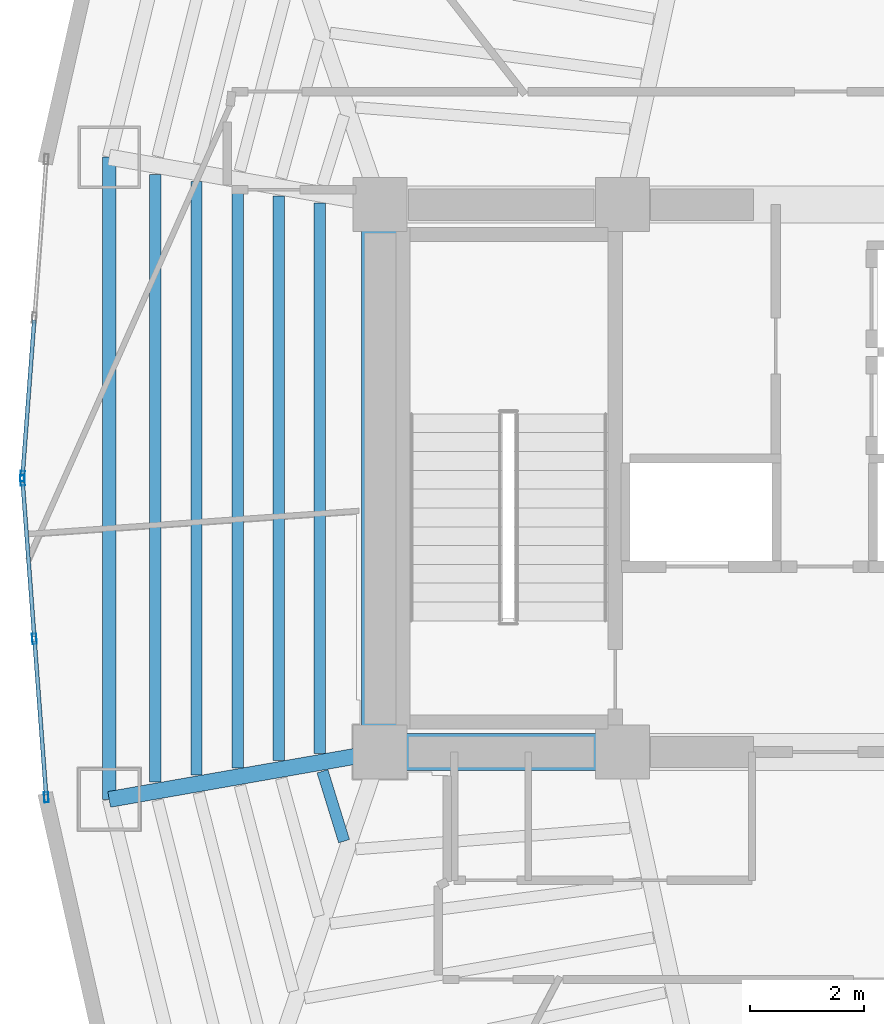
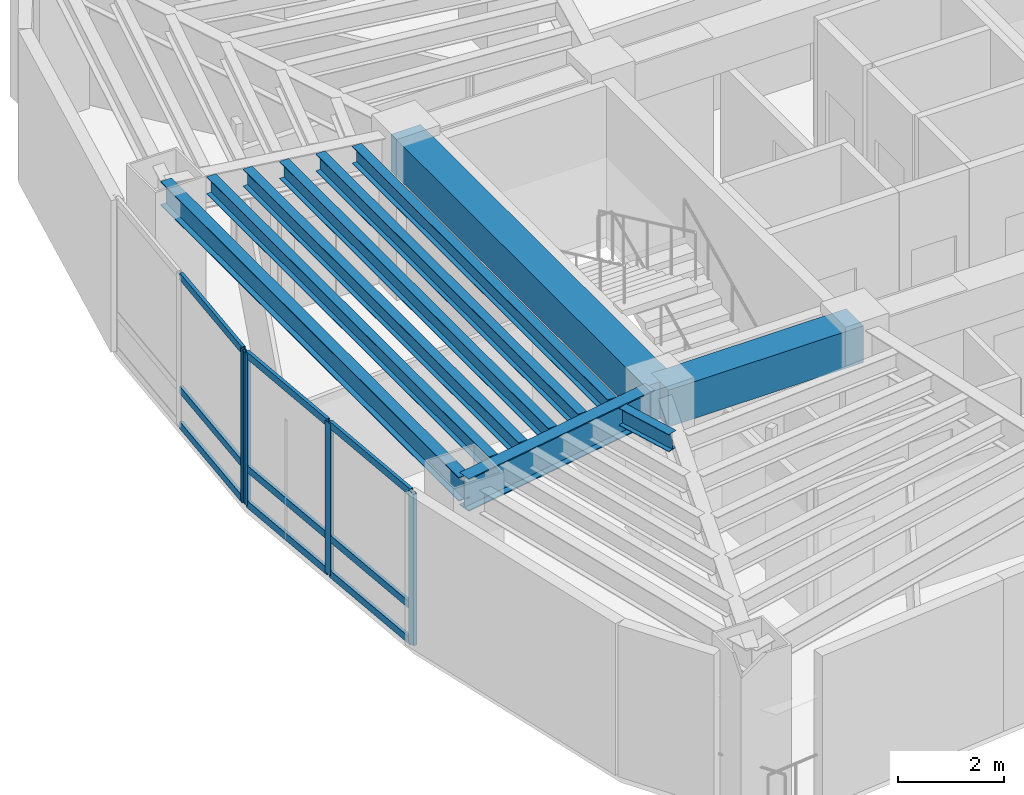
# One storey, part 3 of 18: 13 members, 10 beams, 2 elements without a shape of their own.
"""IFC4 building model written with IfcOpenShell, lengths in metres."""

from ifc_helpers import new_model, si_unit, direction, frame, origin, origin_2d, place, context, subcontext, project, spatial, rectangle, hollow_rectangle, i_section, extrude, material, layer, layer_set, material_profile, profile_set, type_object, element, aggregate, save


model = new_model("IFC4")

# Units and contexts
model_context = context("Model", 3, precision=1e-05, world=origin(), true_north=direction((0.0, 1.0)))
body_context = subcontext(model_context, "Body", "Model", "MODEL_VIEW")
ifc_project = project(units=[si_unit("LENGTHUNIT", "METRE"), si_unit("AREAUNIT", "SQUARE_METRE"), si_unit("VOLUMEUNIT", "CUBIC_METRE"), si_unit("PLANEANGLEUNIT", "RADIAN"), si_unit("MASSUNIT", "GRAM", prefix="KILO")], contexts=[model_context])

# Site, building, storey
site_placement = place(None, origin())
site = spatial("IfcSite", under=ifc_project, at=site_placement, CompositionType="ELEMENT")
building_placement = place(site_placement, origin())
building = spatial("IfcBuilding", under=site, at=building_placement, Name="Menara Vayukalpa", CompositionType="ELEMENT")
storey_placement = place(building_placement, frame((0.0, 0.0, 158.0400390625)))
storey = spatial("IfcBuildingStorey", under=building, at=storey_placement, Name="L39", CompositionType="ELEMENT", Elevation=158.0400390625)

# Beams
ifc_material_1 = material(Name="Concrete C60/75", Category="concrete")
ifc_material_profile_1 = material_profile(ifc_material_1, rectangle(XDim=0.64990234375, YDim=0.85009765625, at=origin_2d()), Name="RC 650x850")
ifc_profile_set_1 = profile_set([ifc_material_profile_1], Name="Concrete C60/75")
beam_type_1 = type_object("IfcBeamType", Name="BM-CB1", PredefinedType="BEAM", material=ifc_profile_set_1)
beam_1_placement = place(storey_placement, frame((17.800048828125, 17.199951171875, 3.074951171875), z_axis=(1.0, 0.0, 0.0), x_axis=(0.0, 1.0, 0.0)))
element("IfcBeam", 1, at=beam_1_placement, inside=storey, type_object=beam_type_1, Name="L39 Core Tie Beam CBR1", PredefinedType="BEAM", context=body_context, shape_type="SweptSolid", body=[
    extrude(rectangle(XDim=0.64990234375, YDim=0.85009765625, at=origin_2d()), origin(), (0.0, 0.0, 1.0), 4.25),
])
beam_2_placement = place(storey_placement, frame((17.800048828125, 17.199951171875, 3.074951171875), z_axis=(0.0, 1.0, 0.0), x_axis=(-1.0, 0.0, 0.0)))
element("IfcBeam", 2, at=beam_2_placement, inside=storey, type_object=beam_type_1, Name="L39 Core Tie Beam CBR7", PredefinedType="BEAM", context=body_context, shape_type="SweptSolid", body=[
    extrude(rectangle(XDim=0.64990234375, YDim=0.85009765625, at=origin_2d()), origin(), (0.0, 0.0, 1.0), 9.60009765625),
])
ifc_material_2 = material(Name="Steel S355", Category="steel")
ifc_material_profile_2 = material_profile(ifc_material_2, i_section(OverallWidth=0.280029296875, OverallDepth=0.75, WebThickness=0.013916015625, FlangeThickness=0.02490234375, at=origin_2d()), Name="WF 750x280x14x25")
ifc_profile_set_2 = profile_set([ifc_material_profile_2], Name="Steel S355")
beam_type_2 = type_object("IfcBeamType", Name="BM-PG4", PredefinedType="BEAM", material=ifc_profile_set_2)
beam_3_placement = place(storey_placement, frame((17.5537109375, 17.156982421875, 3.125), z_axis=(-0.985011651805, -0.172487813505, 0.0), x_axis=(0.172487813505, -0.985011651805, 0.0)))
element("IfcBeam", 3, at=beam_3_placement, inside=storey, type_object=beam_type_2, Name="L39 Primary Radial Girder RG06", PredefinedType="BEAM", context=body_context, shape_type="SweptSolid", body=[
    extrude(i_section(OverallWidth=0.280029296875, OverallDepth=0.75, WebThickness=0.013916015625, FlangeThickness=0.02490234375, at=origin_2d()), origin(), (0.0, 0.0, 1.0), 4.5732421875),
])
ifc_material_3 = material(Name="Steel S355", Category="steel")
ifc_material_profile_3 = material_profile(ifc_material_3, i_section(OverallWidth=0.199951171875, OverallDepth=0.39990234375, WebThickness=0.008056640625, FlangeThickness=0.012939453125, at=origin_2d()), Name="WF 400x200x8x13")
ifc_profile_set_3 = profile_set([ifc_material_profile_3], Name="Steel S355")
beam_type_3 = type_object("IfcBeamType", Name="BM-SJ2", PredefinedType="JOIST", material=ifc_profile_set_3)
beam_4_placement = place(storey_placement, frame((16.742919921875, 26.8251953125, 3.300048828125), z_axis=(0.0, -1.0, 0.0), x_axis=(1.0, 0.0, 0.0)))
element("IfcBeam", 4, at=beam_4_placement, inside=storey, type_object=beam_type_3, Name="L39 Secondary Floor Joist SJ05-1", PredefinedType="JOIST", context=body_context, shape_type="SweptSolid", body=[
    extrude(i_section(OverallWidth=0.199951171875, OverallDepth=0.39990234375, WebThickness=0.008056640625, FlangeThickness=0.012939453125, at=origin_2d()), origin(), (0.0, 0.0, 1.0), 9.650390625),
])
beam_5_placement = place(storey_placement, frame((16.022216796875, 26.951416015625, 3.300048828125), z_axis=(0.0, -1.0, 0.0), x_axis=(1.0, 0.0, 0.0)))
element("IfcBeam", 5, at=beam_5_placement, inside=storey, type_object=beam_type_3, Name="L39 Secondary Floor Joist SJ05-2", PredefinedType="JOIST", context=body_context, shape_type="SweptSolid", body=[
    extrude(i_section(OverallWidth=0.199951171875, OverallDepth=0.39990234375, WebThickness=0.008056640625, FlangeThickness=0.012939453125, at=origin_2d()), origin(), (0.0, 0.0, 1.0), 9.90283203125),
])
beam_6_placement = place(storey_placement, frame((15.301513671875, 27.077392578125, 3.300048828125), z_axis=(0.0, -1.0, 0.0), x_axis=(1.0, 0.0, 0.0)))
element("IfcBeam", 6, at=beam_6_placement, inside=storey, type_object=beam_type_3, Name="L39 Secondary Floor Joist SJ05-3", PredefinedType="JOIST", context=body_context, shape_type="SweptSolid", body=[
    extrude(i_section(OverallWidth=0.199951171875, OverallDepth=0.39990234375, WebThickness=0.008056640625, FlangeThickness=0.012939453125, at=origin_2d()), origin(), (0.0, 0.0, 1.0), 10.15478515625),
])
beam_7_placement = place(storey_placement, frame((14.580810546875, 27.20361328125, 3.300048828125), z_axis=(0.0, -1.0, 0.0), x_axis=(1.0, 0.0, 0.0)))
element("IfcBeam", 7, at=beam_7_placement, inside=storey, type_object=beam_type_3, Name="L39 Secondary Floor Joist SJ05-4", PredefinedType="JOIST", context=body_context, shape_type="SweptSolid", body=[
    extrude(i_section(OverallWidth=0.199951171875, OverallDepth=0.39990234375, WebThickness=0.008056640625, FlangeThickness=0.012939453125, at=origin_2d()), origin(), (0.0, 0.0, 1.0), 10.4072265625),
])
beam_8_placement = place(storey_placement, frame((13.85986328125, 27.329833984375, 3.300048828125), z_axis=(0.0, -1.0, 0.0), x_axis=(1.0, 0.0, 0.0)))
element("IfcBeam", 8, at=beam_8_placement, inside=storey, type_object=beam_type_3, Name="L39 Secondary Floor Joist SJ05-5", PredefinedType="JOIST", context=body_context, shape_type="SweptSolid", body=[
    extrude(i_section(OverallWidth=0.199951171875, OverallDepth=0.39990234375, WebThickness=0.008056640625, FlangeThickness=0.012939453125, at=origin_2d()), origin(), (0.0, 0.0, 1.0), 10.65966796875),
])
beam_9_placement = place(storey_placement, frame((16.7900390625, 16.862060546875, 3.300048828125), z_axis=(0.294914687622, -0.955523587896, 0.0), x_axis=(0.955523587896, 0.294914687622, 0.0)))
element("IfcBeam", 9, at=beam_9_placement, inside=storey, type_object=beam_type_3, Name="L39 Secondary Floor Joist SJ06-1", PredefinedType="JOIST", context=body_context, shape_type="SweptSolid", body=[
    extrude(i_section(OverallWidth=0.199951171875, OverallDepth=0.39990234375, WebThickness=0.008056640625, FlangeThickness=0.012939453125, at=origin_2d()), origin(), (0.0, 0.0, 1.0), 1.283203125),
])
ifc_material_4 = material(Name="Steel S355", Category="steel")
ifc_material_profile_4 = material_profile(ifc_material_4, i_section(OverallWidth=0.239990234375, OverallDepth=0.550048828125, WebThickness=0.010986328125, FlangeThickness=0.01904296875, at=origin_2d()), Name="WF 550x240x11x19")
ifc_profile_set_4 = profile_set([ifc_material_profile_4], Name="Steel S355")
beam_type_4 = type_object("IfcBeamType", Name="BM-SP2", PredefinedType="SPANDREL", material=ifc_profile_set_4)
beam_10_placement = place(storey_placement, frame((13.049072265625, 27.6318359375, 3.224853515625), z_axis=(0.0, -1.0, 0.0), x_axis=(1.0, 0.0, 0.0)))
element("IfcBeam", 10, at=beam_10_placement, inside=storey, type_object=beam_type_4, Name="L39 Perimeter Spandrel Beam SP05", PredefinedType="SPANDREL", context=body_context, shape_type="SweptSolid", body=[
    extrude(i_section(OverallWidth=0.239990234375, OverallDepth=0.550048828125, WebThickness=0.010986328125, FlangeThickness=0.01904296875, at=origin_2d()), origin(), (0.0, 0.0, 1.0), 11.263671875),
])

# Curtain wall, member
ifc_material_5 = material(Name="Anodised Terracotta Aluminium Alloy 6063-T6", Category="masonry")
ifc_layer = layer(ifc_material_5, 0.179931640625)
ifc_layer_set = layer_set([ifc_layer], Name="Anodised Terracotta Aluminium Alloy 6063-T6")
curtain_wall_type = type_object("IfcCurtainWallType", Name="CW-CW4", PredefinedType="USERDEFINED", material=ifc_layer_set)
curtain_wall_1_placement = place(storey_placement, origin())
curtain_wall_1 = element("IfcCurtainWall", 11, at=curtain_wall_1_placement, inside=storey, type_object=curtain_wall_type, Name="L39 Sky Bar Cantilever Glazed Curtain Wall CW4 10", ObjectType="UNITISED", PredefinedType="USERDEFINED")
ifc_material_6 = material(Name="Anodised Terracotta Aluminium Alloy 6063-T6", Category="masonry")
ifc_material_profile_5 = material_profile(ifc_material_6, hollow_rectangle(XDim=0.074951171875, YDim=0.179931640625, WallThickness=0.00390625, at=origin_2d()), Name="ALU 75x180x4")
ifc_profile_set_5 = profile_set([ifc_material_profile_5], Name="Anodised Terracotta Aluminium Alloy 6063-T6")
member_type_1 = type_object("IfcMemberType", Name="CWM-CW4", PredefinedType="MULLION", material=ifc_profile_set_5)
member_1_placement = place(storey_placement, frame((11.529541015625, 22.037353515625, 0.0), z_axis=(0.0, 0.0, 1.0), x_axis=(0.997199111801, -0.074792589364, 0.0)))
member_1 = element("IfcMember", 12, at=member_1_placement, type_object=member_type_1, Name="CW4 mullion 3", PredefinedType="MULLION", context=body_context, shape_type="SweptSolid", body=[
    extrude(hollow_rectangle(XDim=0.074951171875, YDim=0.179931640625, WallThickness=0.00390625, at=origin_2d()), origin(), (0.0, 0.0, 1.0), 3.5),
])

# Curtain wall, members
curtain_wall_2_placement = place(storey_placement, origin())
curtain_wall_2 = element("IfcCurtainWall", 13, at=curtain_wall_2_placement, inside=storey, type_object=curtain_wall_type, Name="L39 Sky Bar Cantilever Glazed Curtain Wall CW4 11", ObjectType="UNITISED", PredefinedType="USERDEFINED")
member_2_placement = place(storey_placement, frame((11.529541015625, 21.962646484375, 0.0), z_axis=(0.0, 0.0, 1.0), x_axis=(0.997199111801, 0.074792589364, 0.0)))
member_2 = element("IfcMember", 14, at=member_2_placement, type_object=member_type_1, Name="CW4 mullion 1", PredefinedType="MULLION", context=body_context, shape_type="SweptSolid", body=[
    extrude(hollow_rectangle(XDim=0.074951171875, YDim=0.179931640625, WallThickness=0.00390625, at=origin_2d()), origin(), (0.0, 0.0, 1.0), 3.5),
])
member_3_placement = place(storey_placement, frame((11.73779296875, 19.18408203125, 0.0), z_axis=(0.0, 0.0, 1.0), x_axis=(0.997199111801, 0.074792589364, 0.0)))
member_3 = element("IfcMember", 15, at=member_3_placement, type_object=member_type_1, Name="CW4 mullion 2", PredefinedType="MULLION", context=body_context, shape_type="SweptSolid", body=[
    extrude(hollow_rectangle(XDim=0.074951171875, YDim=0.179931640625, WallThickness=0.00390625, at=origin_2d()), origin(), (0.0, 0.0, 1.0), 3.5),
])
member_4_placement = place(storey_placement, frame((11.9462890625, 16.405517578125, 0.0), z_axis=(0.0, 0.0, 1.0), x_axis=(0.997199111801, 0.074792589364, 0.0)))
member_4 = element("IfcMember", 16, at=member_4_placement, type_object=member_type_1, Name="CW4 mullion 3", PredefinedType="MULLION", context=body_context, shape_type="SweptSolid", body=[
    extrude(hollow_rectangle(XDim=0.074951171875, YDim=0.179931640625, WallThickness=0.00390625, at=origin_2d()), origin(), (0.0, 0.0, 1.0), 3.5),
])

# Member
ifc_material_7 = material(Name="Anodised Terracotta Aluminium Alloy 6063-T6", Category="masonry")
ifc_material_profile_6 = material_profile(ifc_material_7, hollow_rectangle(XDim=0.070068359375, YDim=0.1650390625, WallThickness=0.00390625, at=origin_2d()), Name="ALU 70x165x4")
ifc_profile_set_6 = profile_set([ifc_material_profile_6], Name="Anodised Terracotta Aluminium Alloy 6063-T6")
member_type_2 = type_object("IfcMemberType", Name="CWT-CW4", PredefinedType="USERDEFINED", material=ifc_profile_set_6)
member_5_placement = place(storey_placement, frame((11.735107421875, 24.778564453125, 0.034912109375), z_axis=(-0.074823524461, -0.997196791104, 0.0), x_axis=(0.997196791104, -0.074823524461, 0.0)))
member_5 = element("IfcMember", 17, at=member_5_placement, type_object=member_type_2, Name="CW4 transom 2.1", ObjectType="TRANSOM", PredefinedType="USERDEFINED", context=body_context, shape_type="SweptSolid", body=[
    extrude(hollow_rectangle(XDim=0.070068359375, YDim=0.1650390625, WallThickness=0.00390625, at=origin_2d()), origin(), (0.0, 0.0, 1.0), 2.71142578125),
])

member_6_placement = place(storey_placement, frame((11.735107421875, 24.778564453125, 0.849853515625), z_axis=(-0.074823524461, -0.997196791104, 0.0), x_axis=(0.997196791104, -0.074823524461, 0.0)))
member_6 = element("IfcMember", 18, at=member_6_placement, type_object=member_type_2, Name="CW4 transom 2.2", ObjectType="TRANSOM", PredefinedType="USERDEFINED", context=body_context, shape_type="SweptSolid", body=[
    extrude(hollow_rectangle(XDim=0.070068359375, YDim=0.1650390625, WallThickness=0.00390625, at=origin_2d()), origin(), (0.0, 0.0, 1.0), 2.71142578125),
])

member_7_placement = place(storey_placement, frame((11.735107421875, 24.778564453125, 3.46484375), z_axis=(-0.074823524461, -0.997196791104, 0.0), x_axis=(0.997196791104, -0.074823524461, 0.0)))
member_7 = element("IfcMember", 19, at=member_7_placement, type_object=member_type_2, Name="CW4 transom 2.3", ObjectType="TRANSOM", PredefinedType="USERDEFINED", context=body_context, shape_type="SweptSolid", body=[
    extrude(hollow_rectangle(XDim=0.070068359375, YDim=0.1650390625, WallThickness=0.00390625, at=origin_2d()), origin(), (0.0, 0.0, 1.0), 2.71142578125),
])

aggregate(curtain_wall_1, [member_1, member_5, member_6, member_7])

member_8_placement = place(storey_placement, frame((11.5322265625, 21.92529296875, 0.034912109375), z_axis=(0.074823524461, -0.997196791104, 0.0), x_axis=(0.997196791104, 0.074823524461, 0.0)))
member_8 = element("IfcMember", 20, at=member_8_placement, type_object=member_type_2, Name="CW4 transom 1.1", ObjectType="TRANSOM", PredefinedType="USERDEFINED", context=body_context, shape_type="SweptSolid", body=[
    extrude(hollow_rectangle(XDim=0.070068359375, YDim=0.1650390625, WallThickness=0.00390625, at=origin_2d()), origin(), (0.0, 0.0, 1.0), 2.71142578125),
])

member_9_placement = place(storey_placement, frame((11.5322265625, 21.92529296875, 0.849853515625), z_axis=(0.074823524461, -0.997196791104, 0.0), x_axis=(0.997196791104, 0.074823524461, 0.0)))
member_9 = element("IfcMember", 21, at=member_9_placement, type_object=member_type_2, Name="CW4 transom 1.2", ObjectType="TRANSOM", PredefinedType="USERDEFINED", context=body_context, shape_type="SweptSolid", body=[
    extrude(hollow_rectangle(XDim=0.070068359375, YDim=0.1650390625, WallThickness=0.00390625, at=origin_2d()), origin(), (0.0, 0.0, 1.0), 2.71142578125),
])

member_10_placement = place(storey_placement, frame((11.5322265625, 21.92529296875, 3.46484375), z_axis=(0.074823524461, -0.997196791104, 0.0), x_axis=(0.997196791104, 0.074823524461, 0.0)))
member_10 = element("IfcMember", 22, at=member_10_placement, type_object=member_type_2, Name="CW4 transom 1.3", ObjectType="TRANSOM", PredefinedType="USERDEFINED", context=body_context, shape_type="SweptSolid", body=[
    extrude(hollow_rectangle(XDim=0.070068359375, YDim=0.1650390625, WallThickness=0.00390625, at=origin_2d()), origin(), (0.0, 0.0, 1.0), 2.71142578125),
])

member_11_placement = place(storey_placement, frame((11.74072265625, 19.146728515625, 0.034912109375), z_axis=(0.074823524461, -0.997196791104, 0.0), x_axis=(0.997196791104, 0.074823524461, 0.0)))
member_11 = element("IfcMember", 23, at=member_11_placement, type_object=member_type_2, Name="CW4 transom 2.1", ObjectType="TRANSOM", PredefinedType="USERDEFINED", context=body_context, shape_type="SweptSolid", body=[
    extrude(hollow_rectangle(XDim=0.070068359375, YDim=0.1650390625, WallThickness=0.00390625, at=origin_2d()), origin(), (0.0, 0.0, 1.0), 2.71142578125),
])

member_12_placement = place(storey_placement, frame((11.74072265625, 19.146728515625, 0.849853515625), z_axis=(0.074823524461, -0.997196791104, 0.0), x_axis=(0.997196791104, 0.074823524461, 0.0)))
member_12 = element("IfcMember", 24, at=member_12_placement, type_object=member_type_2, Name="CW4 transom 2.2", ObjectType="TRANSOM", PredefinedType="USERDEFINED", context=body_context, shape_type="SweptSolid", body=[
    extrude(hollow_rectangle(XDim=0.070068359375, YDim=0.1650390625, WallThickness=0.00390625, at=origin_2d()), origin(), (0.0, 0.0, 1.0), 2.71142578125),
])

member_13_placement = place(storey_placement, frame((11.74072265625, 19.146728515625, 3.46484375), z_axis=(0.074823524461, -0.997196791104, 0.0), x_axis=(0.997196791104, 0.074823524461, 0.0)))
member_13 = element("IfcMember", 25, at=member_13_placement, type_object=member_type_2, Name="CW4 transom 2.3", ObjectType="TRANSOM", PredefinedType="USERDEFINED", context=body_context, shape_type="SweptSolid", body=[
    extrude(hollow_rectangle(XDim=0.070068359375, YDim=0.1650390625, WallThickness=0.00390625, at=origin_2d()), origin(), (0.0, 0.0, 1.0), 2.71142578125),
])

aggregate(curtain_wall_2, [member_2, member_3, member_4, member_8, member_9, member_10, member_11, member_12, member_13])

save(model, "model.ifc")
